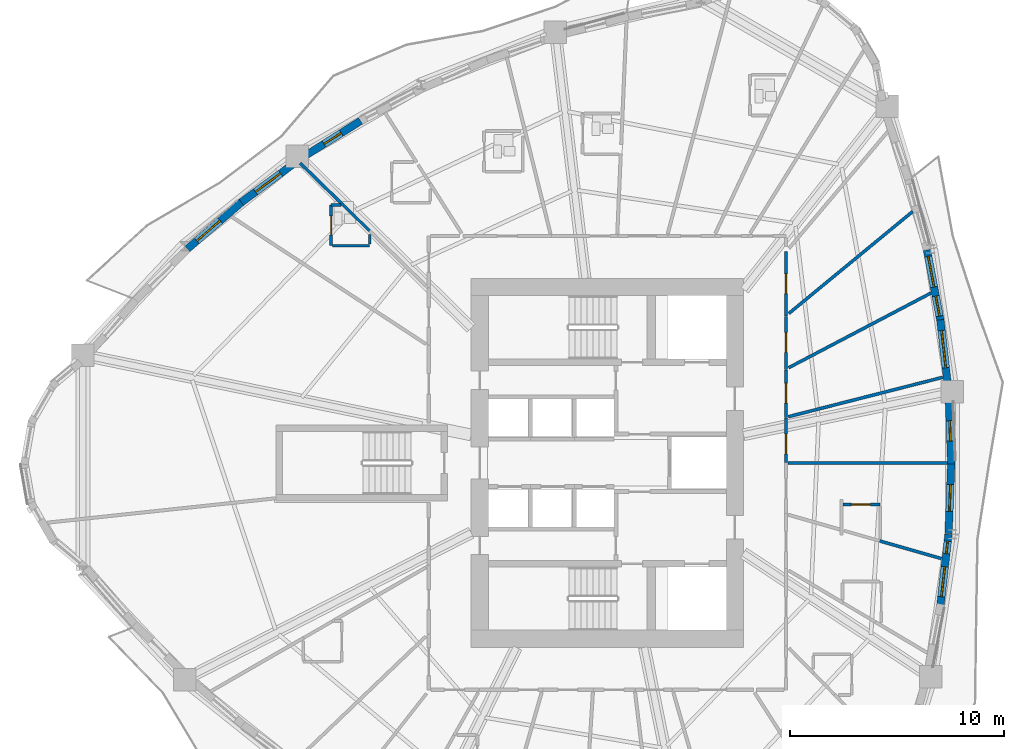
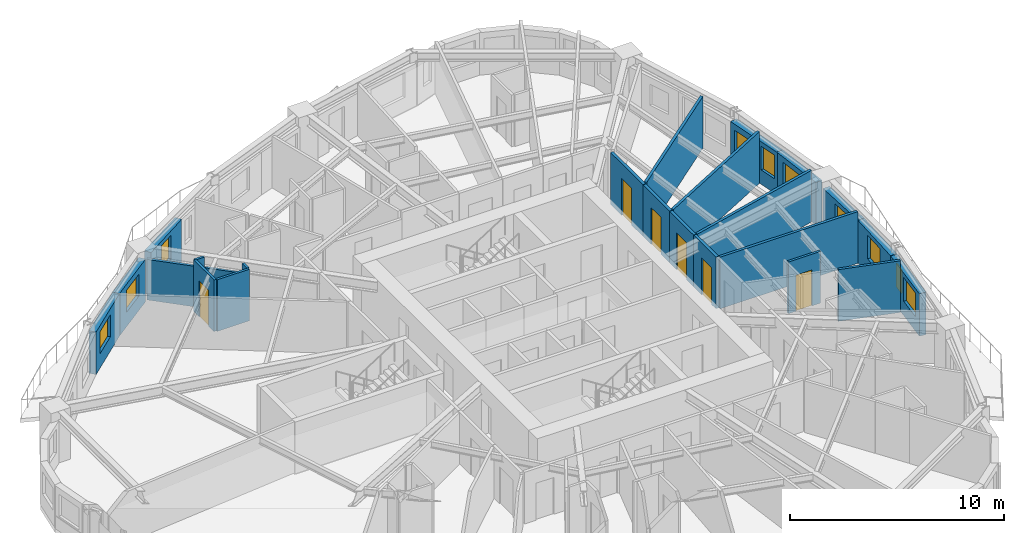
# One storey, part 8 of 14: 24 walls, 10 windows, 6 doors, 16 openings.
"""IFC4 building model written with IfcOpenShell, lengths in metres."""

from ifc_helpers import new_model, si_unit, direction, frame, frame_2d, origin, place, context, subcontext, project, spatial, rectangle, extrude, source, transform, mapped, material, layer, layer_set, type_object, element, fill, save


model = new_model("IFC4")

# Units and contexts
model_context = context("Model", 3, precision=1e-05, world=origin(), true_north=direction((0.0, 1.0)))
body_context = subcontext(model_context, "Body", "Model", "MODEL_VIEW")
ifc_project = project(units=[si_unit("LENGTHUNIT", "METRE"), si_unit("AREAUNIT", "SQUARE_METRE"), si_unit("VOLUMEUNIT", "CUBIC_METRE"), si_unit("PLANEANGLEUNIT", "RADIAN"), si_unit("MASSUNIT", "GRAM", prefix="KILO")], contexts=[model_context])

# Site, building, storey
site_placement = place(None, origin())
site = spatial("IfcSite", under=ifc_project, at=site_placement, CompositionType="ELEMENT")
building_placement = place(site_placement, origin())
building = spatial("IfcBuilding", under=site, at=building_placement, Name="Qafzar Sky-Pleat Residences", CompositionType="ELEMENT")
storey_placement = place(building_placement, frame((0.0, 0.0, 7.800048828125)))
storey = spatial("IfcBuildingStorey", under=building, at=storey_placement, Name="L01", CompositionType="ELEMENT", Elevation=7.800048828125)

# Wall, opening, door
ifc_material_1 = material(Name="Acoustic gypsum plasterboard partition", Category="gypsum")
ifc_layer_1 = layer(ifc_material_1, 0.159912109375)
ifc_layer_set_1 = layer_set([ifc_layer_1], Name="Acoustic gypsum plasterboard partition")
wall_type_1 = type_object("IfcWallType", Name="PART-COR-160", PredefinedType="PARTITIONING", material=ifc_layer_set_1)
wall_1_placement = place(storey_placement, frame((38.679931640625, 35.862060546875, 0.0), z_axis=(0.0, 0.0, 1.0), x_axis=(0.0, -1.0, 0.0)))
wall_1 = element("IfcWall", 1, at=wall_1_placement, inside=storey, type_object=wall_type_1, Name="L01 Partition Wall PART-L01-PW-007", PredefinedType="PARTITIONING", context=body_context, shape_type="SweptSolid", body=[
    extrude(rectangle(XDim=3.024169921875, YDim=0.159912109375, at=frame_2d((1.51220703125, 0.0))), origin(), (0.0, 0.0, 1.0), 2.93994140625),
])
opening_1_placement = place(wall_1_placement, frame((1.053466796875, 0.0, 0.0)))
opening_1 = element("IfcOpeningElement", 2, at=opening_1_placement, cuts=wall_1, Name="Opening ID-04", PredefinedType="OPENING", context=body_context, shape_type="SweptSolid", body=[
    extrude(rectangle(XDim=0.919921875, YDim=2.10009765625, at=frame_2d((0.4599609375, 1.050048828125))), frame((0.0, 0.08984375, 0.0), z_axis=(0.0, -1.0, 0.0), x_axis=(1.0, 0.0, 0.0)), (0.0, 0.0, 1.0), 0.179931640625),
])
ifc_material_2 = material(Name="Timber-faced fire door", Category="wood")
door_type_1 = type_object("IfcDoorType", Name="DR-BED-920", OperationType="NOTDEFINED", PredefinedType="DOOR", material=ifc_material_2)
shared_shape_1 = source(origin(), body_context, "Body", "SweptSolid", [
    extrude(rectangle(XDim=0.919921875, YDim=2.10009765625, at=frame_2d((0.4599609375, 1.050048828125))), frame((0.0, 0.02490234375, 0.0), z_axis=(0.0, -1.0, 0.0), x_axis=(1.0, 0.0, 0.0)), (0.0, 0.0, 1.0), 0.050048828125),
])
door_1_placement = place(opening_1_placement, origin())
door_1 = element("IfcDoor", 3, at=door_1_placement, inside=storey, type_object=door_type_1, Name="L01 Co-Living Bedroom 3 Door", OperationType="SINGLE_SWING_RIGHT", OverallHeight=2.10009765625, OverallWidth=0.919921875, PredefinedType="DOOR", context=body_context, shape_type="MappedRepresentation", body=[
    mapped(shared_shape_1, transform((0.0, 0.0, 0.0), x_axis=(1.0, 0.0, 0.0), y_axis=(0.0, 1.0, 0.0), z_axis=(0.0, 0.0, 1.0), scale=1.0)),
])
fill(opening_1, door_1)

wall_2_placement = place(storey_placement, frame((38.679931640625, 32.822998046875, 0.0), z_axis=(0.0, 0.0, 1.0), x_axis=(0.0, -1.0, 0.0)))
wall_2 = element("IfcWall", 4, at=wall_2_placement, inside=storey, type_object=wall_type_1, Name="L01 Partition Wall PART-L01-PW-013", PredefinedType="PARTITIONING", context=body_context, shape_type="SweptSolid", body=[
    extrude(rectangle(XDim=2.468017578125, YDim=0.159912109375, at=frame_2d((1.23388671875, 0.0))), origin(), (0.0, 0.0, 1.0), 2.93994140625),
])
opening_2_placement = place(wall_2_placement, frame((0.748046875, 0.0, 0.0)))
opening_2 = element("IfcOpeningElement", 5, at=opening_2_placement, cuts=wall_2, Name="Opening ID-04", PredefinedType="OPENING", context=body_context, shape_type="SweptSolid", body=[
    extrude(rectangle(XDim=0.919921875, YDim=2.10009765625, at=frame_2d((0.4599609375, 1.050048828125))), frame((0.0, 0.08984375, 0.0), z_axis=(0.0, -1.0, 0.0), x_axis=(1.0, 0.0, 0.0)), (0.0, 0.0, 1.0), 0.179931640625),
])
door_2_placement = place(opening_2_placement, origin())
door_2 = element("IfcDoor", 6, at=door_2_placement, inside=storey, type_object=door_type_1, Name="L01 Co-Living Bedroom 4 Door", OperationType="SINGLE_SWING_RIGHT", OverallHeight=2.10009765625, OverallWidth=0.919921875, PredefinedType="DOOR", context=body_context, shape_type="MappedRepresentation", body=[
    mapped(shared_shape_1, transform((0.0, 0.0, 0.0), x_axis=(1.0, 0.0, 0.0), y_axis=(0.0, 1.0, 0.0), z_axis=(0.0, 0.0, 1.0), scale=1.0)),
])
fill(opening_2, door_2)

wall_3_placement = place(storey_placement, frame((38.679931640625, 30.340087890625, 0.0), z_axis=(0.0, 0.0, 1.0), x_axis=(0.0, -1.0, 0.0)))
wall_3 = element("IfcWall", 7, at=wall_3_placement, inside=storey, type_object=wall_type_1, Name="L01 Partition Wall PART-L01-PW-019", PredefinedType="PARTITIONING", context=body_context, shape_type="SweptSolid", body=[
    extrude(rectangle(XDim=2.22998046875, YDim=0.159912109375, at=frame_2d((1.114990234375, 0.0))), origin(), (0.0, 0.0, 1.0), 2.93994140625),
])
opening_3_placement = place(wall_3_placement, frame((0.631591796875, 0.0, 0.0)))
opening_3 = element("IfcOpeningElement", 8, at=opening_3_placement, cuts=wall_3, Name="Opening ID-04", PredefinedType="OPENING", context=body_context, shape_type="SweptSolid", body=[
    extrude(rectangle(XDim=0.919921875, YDim=2.10009765625, at=frame_2d((0.4599609375, 1.050048828125))), frame((0.0, 0.08984375, 0.0), z_axis=(0.0, -1.0, 0.0), x_axis=(1.0, 0.0, 0.0)), (0.0, 0.0, 1.0), 0.179931640625),
])
door_3_placement = place(opening_3_placement, origin())
door_3 = element("IfcDoor", 9, at=door_3_placement, inside=storey, type_object=door_type_1, Name="L01 Co-Living Bedroom 1 Door", OperationType="SINGLE_SWING_LEFT", OverallHeight=2.10009765625, OverallWidth=0.919921875, PredefinedType="DOOR", context=body_context, shape_type="MappedRepresentation", body=[
    mapped(shared_shape_1, transform((0.0, 0.0, 0.0), x_axis=(1.0, 0.0, 0.0), y_axis=(0.0, 1.0, 0.0), z_axis=(0.0, 0.0, 1.0), scale=1.0)),
])
fill(opening_3, door_3)

wall_4_placement = place(storey_placement, frame((38.679931640625, 28.094970703125, 0.0), z_axis=(0.0, 0.0, 1.0), x_axis=(0.0, -1.0, 0.0)))
wall_4 = element("IfcWall", 10, at=wall_4_placement, inside=storey, type_object=wall_type_1, Name="L01 Partition Wall PART-L01-PW-021", PredefinedType="PARTITIONING", context=body_context, shape_type="SweptSolid", body=[
    extrude(rectangle(XDim=2.06494140625, YDim=0.159912109375, at=frame_2d((1.032470703125, 0.0))), origin(), (0.0, 0.0, 1.0), 2.93994140625),
])
opening_4_placement = place(wall_4_placement, frame((0.748779296875, 0.0, 0.0)))
opening_4 = element("IfcOpeningElement", 11, at=opening_4_placement, cuts=wall_4, Name="Opening ID-04", PredefinedType="OPENING", context=body_context, shape_type="SweptSolid", body=[
    extrude(rectangle(XDim=0.919921875, YDim=2.10009765625, at=frame_2d((0.4599609375, 1.050048828125))), frame((0.0, 0.08984375, 0.0), z_axis=(0.0, -1.0, 0.0), x_axis=(1.0, 0.0, 0.0)), (0.0, 0.0, 1.0), 0.179931640625),
])
door_4_placement = place(opening_4_placement, origin())
door_4 = element("IfcDoor", 12, at=door_4_placement, inside=storey, type_object=door_type_1, Name="L01 Co-Living Bedroom 2 Door", OperationType="SINGLE_SWING_LEFT", OverallHeight=2.10009765625, OverallWidth=0.919921875, PredefinedType="DOOR", context=body_context, shape_type="MappedRepresentation", body=[
    mapped(shared_shape_1, transform((0.0, 0.0, 0.0), x_axis=(1.0, 0.0, 0.0), y_axis=(0.0, 1.0, 0.0), z_axis=(0.0, 0.0, 1.0), scale=1.0)),
])
fill(opening_4, door_4)

# Walls
ifc_layer_2 = layer(ifc_material_1, 0.14501953125)
ifc_layer_set_2 = layer_set([ifc_layer_2], Name="Acoustic gypsum plasterboard partition")
wall_type_2 = type_object("IfcWallType", Name="PART-UNIT-145", PredefinedType="PARTITIONING", material=ifc_layer_set_2)
wall_5_placement = place(storey_placement, frame((38.812255859375, 32.966796875, 0.0), z_axis=(0.0, 0.0, 1.0), x_axis=(0.772048037558, 0.635564180633, 0.0)))
element("IfcWall", 13, at=wall_5_placement, inside=storey, type_object=wall_type_2, Name="L01 Partition Wall PART-L01-PW-048", PredefinedType="PARTITIONING", context=body_context, shape_type="SweptSolid", body=[
    extrude(rectangle(XDim=7.47705078125, YDim=0.14501953125, at=frame_2d((3.738525390625, 0.0))), origin(), (0.0, 0.0, 1.0), 2.93994140625),
])
wall_6_placement = place(storey_placement, frame((38.80078125, 30.435302734375, 0.0), z_axis=(0.0, 0.0, 1.0), x_axis=(0.885428701358, 0.46477523042, 0.0)))
element("IfcWall", 14, at=wall_6_placement, inside=storey, type_object=wall_type_2, Name="L01 Partition Wall PART-L01-PW-049", PredefinedType="PARTITIONING", context=body_context, shape_type="SweptSolid", body=[
    extrude(rectangle(XDim=7.503173828125, YDim=0.14501953125, at=frame_2d((3.75146484375, 0.0))), origin(), (0.0, 0.0, 1.0), 2.93994140625),
])
wall_7_placement = place(storey_placement, frame((38.78564453125, 28.152099609375, 0.0), z_axis=(0.0, 0.0, 1.0), x_axis=(0.968940490632, 0.247294006424, 0.0)))
element("IfcWall", 15, at=wall_7_placement, inside=storey, type_object=wall_type_2, Name="L01 Partition Wall PART-L01-PW-050", PredefinedType="PARTITIONING", context=body_context, shape_type="SweptSolid", body=[
    extrude(rectangle(XDim=7.431884765625, YDim=0.14501953125, at=frame_2d((3.7158203125, 0.0))), origin(), (0.0, 0.0, 1.0), 2.93994140625),
])
wall_8_placement = place(storey_placement, frame((38.76806640625, 26.0, 0.0), z_axis=(0.0, 0.0, 1.0), x_axis=(1.0, 0.0, 0.0)))
element("IfcWall", 16, at=wall_8_placement, inside=storey, type_object=wall_type_2, Name="L01 Partition Wall PART-L01-PW-051", PredefinedType="PARTITIONING", context=body_context, shape_type="SweptSolid", body=[
    extrude(rectangle(XDim=7.43017578125, YDim=0.14501953125, at=frame_2d((3.715087890625, 0.0))), origin(), (0.0, 0.0, 1.0), 2.93994140625),
])
wall_9_placement = place(storey_placement, frame((43.054931640625, 22.361083984375, 0.0), z_axis=(0.0, 0.0, 1.0), x_axis=(0.961351316588, -0.275324619486, 0.0)))
element("IfcWall", 17, at=wall_9_placement, inside=storey, type_object=wall_type_2, Name="L01 Partition Wall PART-L01-PW-068", PredefinedType="PARTITIONING", context=body_context, shape_type="SweptSolid", body=[
    extrude(rectangle(XDim=2.991943359375, YDim=0.14501953125, at=frame_2d((1.49609375, 0.0))), origin(), (0.0, 0.0, 1.0), 2.93994140625),
])
wall_10_placement = place(storey_placement, frame((16.033935546875, 39.97412109375, 0.0), z_axis=(0.0, 0.0, 1.0), x_axis=(0.715628345471, -0.69848126042, 0.0)))
element("IfcWall", 18, at=wall_10_placement, inside=storey, type_object=wall_type_2, Name="L01 Partition Wall PART-L01-PW-071", PredefinedType="PARTITIONING", context=body_context, shape_type="SweptSolid", body=[
    extrude(rectangle(XDim=2.790771484375, YDim=0.14501953125, at=frame_2d((1.3955078125, 0.0))), origin(), (0.0, 0.0, 1.0), 2.307861328125),
])

# Wall, opening, door
ifc_material_3 = material(Name="Moisture-resistant gypsum partition", Category="gypsum")
ifc_layer_3 = layer(ifc_material_3, 0.1298828125)
ifc_layer_set_3 = layer_set([ifc_layer_3], Name="Moisture-resistant gypsum partition")
wall_type_3 = type_object("IfcWallType", Name="PART-WET-130", PredefinedType="PARTITIONING", material=ifc_layer_set_3)
wall_11_placement = place(storey_placement, frame((17.470947265625, 38.02490234375, 0.0), z_axis=(0.0, 0.0, 1.0), x_axis=(0.0, -1.0, 0.0)))
wall_11 = element("IfcWall", 19, at=wall_11_placement, inside=storey, type_object=wall_type_3, Name="L01 Partition Wall PART-L01-PW-030", PredefinedType="PARTITIONING", context=body_context, shape_type="SweptSolid", body=[
    extrude(rectangle(XDim=1.89990234375, YDim=0.1298828125, at=frame_2d((0.949951171875, 0.0))), origin(), (0.0, 0.0, 1.0), 2.93994140625),
])
opening_5_placement = place(wall_11_placement, frame((0.510009765625, 0.0, 0.0)))
opening_5 = element("IfcOpeningElement", 20, at=opening_5_placement, cuts=wall_11, Name="Opening ID-07", PredefinedType="OPENING", context=body_context, shape_type="SweptSolid", body=[
    extrude(rectangle(XDim=0.8798828125, YDim=2.050048828125, at=frame_2d((0.43994140625, 1.02490234375))), frame((0.0, 0.074951171875, 0.0), z_axis=(0.0, -1.0, 0.0), x_axis=(1.0, 0.0, 0.0)), (0.0, 0.0, 1.0), 0.14990234375),
])
door_type_2 = type_object("IfcDoorType", Name="DR-WET-880", OperationType="NOTDEFINED", PredefinedType="DOOR", material=ifc_material_2)
shared_shape_2 = source(origin(), body_context, "Body", "SweptSolid", [
    extrude(rectangle(XDim=0.8798828125, YDim=2.050048828125, at=frame_2d((0.43994140625, 1.02490234375))), frame((0.0, 0.02490234375, 0.0), z_axis=(0.0, -1.0, 0.0), x_axis=(1.0, 0.0, 0.0)), (0.0, 0.0, 1.0), 0.050048828125),
])
door_5_placement = place(opening_5_placement, origin())
door_5 = element("IfcDoor", 21, at=door_5_placement, inside=storey, type_object=door_type_2, Name="L01 En-suite Bathroom 10 Door", OperationType="SINGLE_SWING_RIGHT", OverallHeight=2.050048828125, OverallWidth=0.8798828125, PredefinedType="DOOR", context=body_context, shape_type="MappedRepresentation", body=[
    mapped(shared_shape_2, transform((0.0, 0.0, 0.0), x_axis=(1.0, 0.0, 0.0), y_axis=(0.0, 1.0, 0.0), z_axis=(0.0, 0.0, 1.0), scale=1.0)),
])
fill(opening_5, door_5)

wall_12_placement = place(storey_placement, frame((43.070068359375, 24.06005859375, 0.0), z_axis=(0.0, 0.0, 1.0), x_axis=(-1.0, 0.0, 0.0)))
wall_12 = element("IfcWall", 22, at=wall_12_placement, inside=storey, type_object=wall_type_3, Name="L01 Partition Wall PART-L01-PW-035", PredefinedType="PARTITIONING", context=body_context, shape_type="SweptSolid", body=[
    extrude(rectangle(XDim=1.72705078125, YDim=0.1298828125, at=frame_2d((0.863525390625, 0.0))), origin(), (0.0, 0.0, 1.0), 2.93994140625),
])
opening_6_placement = place(wall_12_placement, frame((0.4599609375, 0.0, 0.0)))
opening_6 = element("IfcOpeningElement", 23, at=opening_6_placement, cuts=wall_12, Name="Opening ID-07", PredefinedType="OPENING", context=body_context, shape_type="SweptSolid", body=[
    extrude(rectangle(XDim=0.8798828125, YDim=2.050048828125, at=frame_2d((0.43994140625, 1.02490234375))), frame((0.0, 0.074951171875, 0.0), z_axis=(0.0, -1.0, 0.0), x_axis=(1.0, 0.0, 0.0)), (0.0, 0.0, 1.0), 0.14990234375),
])
door_6_placement = place(opening_6_placement, origin())
door_6 = element("IfcDoor", 24, at=door_6_placement, inside=storey, type_object=door_type_2, Name="L01 En-suite Bathroom 20 Door", OperationType="SINGLE_SWING_LEFT", OverallHeight=2.050048828125, OverallWidth=0.8798828125, PredefinedType="DOOR", context=body_context, shape_type="MappedRepresentation", body=[
    mapped(shared_shape_2, transform((0.0, 0.0, 0.0), x_axis=(1.0, 0.0, 0.0), y_axis=(0.0, 1.0, 0.0), z_axis=(0.0, 0.0, 1.0), scale=1.0)),
])
fill(opening_6, door_6)

# Walls
wall_13_placement = place(storey_placement, frame((17.5439453125, 36.125, 0.0), z_axis=(0.0, 0.0, 1.0), x_axis=(1.0, 0.0, 0.0)))
element("IfcWall", 25, at=wall_13_placement, inside=storey, type_object=wall_type_3, Name="L01 Partition Wall PART-L01-PW-082", PredefinedType="PARTITIONING", context=body_context, shape_type="SweptSolid", body=[
    extrude(rectangle(XDim=1.72705078125, YDim=0.1298828125, at=frame_2d((0.863525390625, 0.0))), origin(), (0.0, 0.0, 1.0), 2.93994140625),
])
wall_14_placement = place(storey_placement, frame((18.041748046875, 38.014404296875, 0.0), z_axis=(0.0, 0.0, 1.0), x_axis=(0.715729497461, -0.698377610225, 0.0)))
element("IfcWall", 26, at=wall_14_placement, inside=storey, type_object=wall_type_3, Name="L01 Partition Wall PART-L01-PW-095", PredefinedType="PARTITIONING", context=body_context, shape_type="SweptSolid", body=[
    extrude(rectangle(XDim=1.702392578125, YDim=0.1298828125, at=frame_2d((0.85107421875, 0.0))), origin(), (0.0, 0.0, 1.0), 2.307861328125),
])
wall_15_placement = place(storey_placement, frame((19.27099609375, 36.197998046875, 0.0), z_axis=(0.0, 0.0, 1.0), x_axis=(0.0, 1.0, 0.0)))
element("IfcWall", 27, at=wall_15_placement, inside=storey, type_object=wall_type_3, Name="L01 Partition Wall PART-L01-PW-115", PredefinedType="PARTITIONING", context=body_context, shape_type="SweptSolid", body=[
    extrude(rectangle(XDim=0.444091796875, YDim=0.1298828125, at=frame_2d((0.22216796875, 0.0))), origin(), (0.0, 0.0, 1.0), 2.93994140625),
])
wall_16_placement = place(storey_placement, frame((17.470947265625, 38.02490234375, 0.0), z_axis=(0.0, 0.0, 1.0), x_axis=(1.0, 0.0, 0.0)))
element("IfcWall", 28, at=wall_16_placement, inside=storey, type_object=wall_type_3, Name="L01 Partition Wall PART-L01-PW-117", PredefinedType="PARTITIONING", context=body_context, shape_type="SweptSolid", body=[
    extrude(rectangle(XDim=0.469970703125, YDim=0.1298828125, at=frame_2d((0.23486328125, 0.0))), origin(), (0.0, 0.0, 1.0), 2.93994140625),
])

# Wall, openings, windows
ifc_material_4 = material(Name="Precast concrete C40/50 with honed Riyadh limestone", Category="concrete")
ifc_layer_4 = layer(ifc_material_4, 0.35009765625)
ifc_layer_set_4 = layer_set([ifc_layer_4], Name="Precast concrete C40/50 with honed Riyadh limestone")
wall_type_4 = type_object("IfcWallType", Name="WALL-EXT-350", PredefinedType="SOLIDWALL", material=ifc_layer_set_4)
wall_17_placement = place(storey_placement, frame((45.87548828125, 19.3310546875, 0.0), z_axis=(0.0, 0.0, 1.0), x_axis=(0.113329685842, 0.99355743785, 0.0)))
wall_17 = element("IfcWall", 29, at=wall_17_placement, inside=storey, type_object=wall_type_4, Name="L01 Limestone Facade Wall 26", PredefinedType="SOLIDWALL", context=body_context, shape_type="SweptSolid", body=[
    extrude(rectangle(XDim=3.364990234375, YDim=0.35009765625, at=frame_2d((1.6826171875, 0.0))), origin(), (0.0, 0.0, 1.0), 2.419921875),
])
opening_7_placement = place(wall_17_placement, frame((0.436767578125, 0.0, 0.820068359375)))
opening_7 = element("IfcOpeningElement", 30, at=opening_7_placement, cuts=wall_17, Name="Opening WN-10", PredefinedType="OPENING", context=body_context, shape_type="SweptSolid", body=[
    extrude(rectangle(XDim=1.39990234375, YDim=1.35009765625, at=frame_2d((0.699951171875, 0.675048828125))), frame((0.0, 0.18505859375, 0.0), z_axis=(0.0, -1.0, 0.0), x_axis=(1.0, 0.0, 0.0)), (0.0, 0.0, 1.0), 0.3701171875),
])
opening_8_placement = place(wall_17_placement, frame((2.45947265625, 0.0, 0.820068359375)))
opening_8 = element("IfcOpeningElement", 31, at=opening_8_placement, cuts=wall_17, Name="Opening WN-17", PredefinedType="OPENING", context=body_context, shape_type="SweptSolid", body=[
    extrude(rectangle(XDim=0.580078125, YDim=1.35009765625, at=frame_2d((0.2900390625, 0.675048828125))), frame((0.0, 0.18505859375, 0.0), z_axis=(0.0, -1.0, 0.0), x_axis=(1.0, 0.0, 0.0)), (0.0, 0.0, 1.0), 0.3701171875),
])
ifc_material_5 = material(Name="Solar-control low-E glass in bronze aluminium frame", Category="glass")
window_type_1 = type_object("IfcWindowType", Name="WIN-17", PartitioningType="SINGLE_PANEL", PredefinedType="WINDOW", material=ifc_material_5)
shared_shape_3 = source(origin(), body_context, "Body", "SweptSolid", [
    extrude(rectangle(XDim=0.580078125, YDim=1.35009765625, at=frame_2d((0.2900390625, 0.675048828125))), frame((0.0, 0.030029296875, 0.0), z_axis=(0.0, -1.0, 0.0), x_axis=(1.0, 0.0, 0.0)), (0.0, 0.0, 1.0), 0.06005859375),
])
window_1_placement = place(opening_8_placement, origin())
window_1 = element("IfcWindow", 32, at=window_1_placement, inside=storey, type_object=window_type_1, Name="L01 Punched Facade Window 26-2", OverallHeight=1.35009765625, OverallWidth=0.580078125, PartitioningType="SINGLE_PANEL", PredefinedType="WINDOW", context=body_context, shape_type="MappedRepresentation", body=[
    mapped(shared_shape_3, transform((0.0, 0.0, 0.0), x_axis=(1.0, 0.0, 0.0), y_axis=(0.0, 1.0, 0.0), z_axis=(0.0, 0.0, 1.0), scale=1.0)),
])
fill(opening_8, window_1)
window_type_2 = type_object("IfcWindowType", Name="WIN-10", PartitioningType="SINGLE_PANEL", PredefinedType="WINDOW", material=ifc_material_5)
shared_shape_4 = source(origin(), body_context, "Body", "SweptSolid", [
    extrude(rectangle(XDim=1.39990234375, YDim=1.35009765625, at=frame_2d((0.699951171875, 0.675048828125))), frame((0.0, 0.030029296875, 0.0), z_axis=(0.0, -1.0, 0.0), x_axis=(1.0, 0.0, 0.0)), (0.0, 0.0, 1.0), 0.06005859375),
])
window_2_placement = place(opening_7_placement, origin())
window_2 = element("IfcWindow", 33, at=window_2_placement, inside=storey, type_object=window_type_2, Name="L01 Punched Facade Window 26", OverallHeight=1.35009765625, OverallWidth=1.39990234375, PartitioningType="SINGLE_PANEL", PredefinedType="WINDOW", context=body_context, shape_type="MappedRepresentation", body=[
    mapped(shared_shape_4, transform((0.0, 0.0, 0.0), x_axis=(1.0, 0.0, 0.0), y_axis=(0.0, 1.0, 0.0), z_axis=(0.0, 0.0, 1.0), scale=1.0)),
])
fill(opening_7, window_2)

# Wall, opening, window
wall_18_placement = place(storey_placement, frame((46.2587890625, 22.701171875, 0.0), z_axis=(0.0, 0.0, 1.0), x_axis=(0.038015581842, 0.99927714651, 0.0)))
wall_18 = element("IfcWall", 34, at=wall_18_placement, inside=storey, type_object=wall_type_4, Name="L01 Limestone Facade Wall 27", PredefinedType="SOLIDWALL", context=body_context, shape_type="SweptSolid", body=[
    extrude(rectangle(XDim=3.345947265625, YDim=0.35009765625, at=frame_2d((1.6728515625, 0.0))), origin(), (0.0, 0.0, 1.0), 2.419921875),
])
opening_9_placement = place(wall_18_placement, frame((1.0380859375, 0.0, 0.820068359375)))
opening_9 = element("IfcOpeningElement", 35, at=opening_9_placement, cuts=wall_18, Name="Opening WN-11", PredefinedType="OPENING", context=body_context, shape_type="SweptSolid", body=[
    extrude(rectangle(XDim=1.25, YDim=1.35009765625, at=frame_2d((0.625, 0.675048828125))), frame((0.0, 0.18505859375, 0.0), z_axis=(0.0, -1.0, 0.0), x_axis=(1.0, 0.0, 0.0)), (0.0, 0.0, 1.0), 0.3701171875),
])
window_type_3 = type_object("IfcWindowType", Name="WIN-11", PartitioningType="SINGLE_PANEL", PredefinedType="WINDOW", material=ifc_material_5)
shared_shape_5 = source(origin(), body_context, "Body", "SweptSolid", [
    extrude(rectangle(XDim=1.25, YDim=1.35009765625, at=frame_2d((0.625, 0.675048828125))), frame((0.0, 0.030029296875, 0.0), z_axis=(0.0, -1.0, 0.0), x_axis=(1.0, 0.0, 0.0)), (0.0, 0.0, 1.0), 0.06005859375),
])
window_3_placement = place(opening_9_placement, origin())
window_3 = element("IfcWindow", 36, at=window_3_placement, inside=storey, type_object=window_type_3, Name="L01 Punched Facade Window 27", OverallHeight=1.35009765625, OverallWidth=1.25, PartitioningType="SINGLE_PANEL", PredefinedType="WINDOW", context=body_context, shape_type="MappedRepresentation", body=[
    mapped(shared_shape_5, transform((0.0, 0.0, 0.0), x_axis=(1.0, 0.0, 0.0), y_axis=(0.0, 1.0, 0.0), z_axis=(0.0, 0.0, 1.0), scale=1.0)),
])
fill(opening_9, window_3)

wall_19_placement = place(storey_placement, frame((46.385986328125, 25.955322265625, 0.0), z_axis=(0.0, 0.0, 1.0), x_axis=(-0.038063081658, 0.99927533834, 0.0)))
wall_19 = element("IfcWall", 37, at=wall_19_placement, inside=storey, type_object=wall_type_4, Name="L01 Limestone Facade Wall 28", PredefinedType="SOLIDWALL", context=body_context, shape_type="SweptSolid", body=[
    extrude(rectangle(XDim=3.06591796875, YDim=0.35009765625, at=frame_2d((1.532958984375, 0.0))), origin(), (0.0, 0.0, 1.0), 2.419921875),
])
opening_10_placement = place(wall_19_placement, frame((1.06298828125, 0.0, 0.820068359375)))
opening_10 = element("IfcOpeningElement", 38, at=opening_10_placement, cuts=wall_19, Name="Opening WN-12", PredefinedType="OPENING", context=body_context, shape_type="SweptSolid", body=[
    extrude(rectangle(XDim=0.949951171875, YDim=1.35009765625, at=frame_2d((0.47509765625, 0.675048828125))), frame((0.0, 0.18505859375, 0.0), z_axis=(0.0, -1.0, 0.0), x_axis=(1.0, 0.0, 0.0)), (0.0, 0.0, 1.0), 0.3701171875),
])
window_type_4 = type_object("IfcWindowType", Name="WIN-12", PartitioningType="SINGLE_PANEL", PredefinedType="WINDOW", material=ifc_material_5)
shared_shape_6 = source(origin(), body_context, "Body", "SweptSolid", [
    extrude(rectangle(XDim=0.949951171875, YDim=1.35009765625, at=frame_2d((0.47509765625, 0.675048828125))), frame((0.0, 0.030029296875, 0.0), z_axis=(0.0, -1.0, 0.0), x_axis=(1.0, 0.0, 0.0)), (0.0, 0.0, 1.0), 0.06005859375),
])
window_4_placement = place(opening_10_placement, origin())
window_4 = element("IfcWindow", 39, at=window_4_placement, inside=storey, type_object=window_type_4, Name="L01 Punched Facade Window 28", OverallHeight=1.35009765625, OverallWidth=0.949951171875, PartitioningType="SINGLE_PANEL", PredefinedType="WINDOW", context=body_context, shape_type="MappedRepresentation", body=[
    mapped(shared_shape_6, transform((0.0, 0.0, 0.0), x_axis=(1.0, 0.0, 0.0), y_axis=(0.0, 1.0, 0.0), z_axis=(0.0, 0.0, 1.0), scale=1.0)),
])
fill(opening_10, window_4)

wall_20_placement = place(storey_placement, frame((46.22509765625, 29.603759765625, 0.0), z_axis=(0.0, 0.0, 1.0), x_axis=(-0.113323399269, 0.993558154905, 0.0)))
wall_20 = element("IfcWall", 40, at=wall_20_placement, inside=storey, type_object=wall_type_4, Name="L01 Limestone Facade Wall 29", PredefinedType="SOLIDWALL", context=body_context, shape_type="SweptSolid", body=[
    extrude(rectangle(XDim=3.0849609375, YDim=0.35009765625, at=frame_2d((1.54248046875, 0.0))), origin(), (0.0, 0.0, 1.0), 2.419921875),
])
opening_11_placement = place(wall_20_placement, frame((0.8349609375, 0.0, 0.820068359375)))
opening_11 = element("IfcOpeningElement", 41, at=opening_11_placement, cuts=wall_20, Name="Opening WN-14", PredefinedType="OPENING", context=body_context, shape_type="SweptSolid", body=[
    extrude(rectangle(XDim=1.75, YDim=1.300048828125, at=frame_2d((0.875, 0.64990234375))), frame((0.0, 0.18505859375, 0.0), z_axis=(0.0, -1.0, 0.0), x_axis=(1.0, 0.0, 0.0)), (0.0, 0.0, 1.0), 0.3701171875),
])
window_type_5 = type_object("IfcWindowType", Name="WIN-14", PartitioningType="DOUBLE_PANEL_VERTICAL", PredefinedType="WINDOW", material=ifc_material_5)
shared_shape_7 = source(origin(), body_context, "Body", "SweptSolid", [
    extrude(rectangle(XDim=1.75, YDim=1.300048828125, at=frame_2d((0.875, 0.64990234375))), frame((0.0, 0.030029296875, 0.0), z_axis=(0.0, -1.0, 0.0), x_axis=(1.0, 0.0, 0.0)), (0.0, 0.0, 1.0), 0.06005859375),
])
window_5_placement = place(opening_11_placement, origin())
window_5 = element("IfcWindow", 42, at=window_5_placement, inside=storey, type_object=window_type_5, Name="L01 Punched Facade Window 29-2", OverallHeight=1.300048828125, OverallWidth=1.75, PartitioningType="SINGLE_PANEL", PredefinedType="WINDOW", context=body_context, shape_type="MappedRepresentation", body=[
    mapped(shared_shape_7, transform((0.0, 0.0, 0.0), x_axis=(1.0, 0.0, 0.0), y_axis=(0.0, 1.0, 0.0), z_axis=(0.0, 0.0, 1.0), scale=1.0)),
])
fill(opening_11, window_5)

# Wall, openings, windows
wall_21_placement = place(storey_placement, frame((45.888916015625, 32.5810546875, 0.0), z_axis=(0.0, 0.0, 1.0), x_axis=(-0.186670339622, 0.98242260983, 0.0)))
wall_21 = element("IfcWall", 43, at=wall_21_placement, inside=storey, type_object=wall_type_4, Name="L01 Limestone Facade Wall 30", PredefinedType="SOLIDWALL", context=body_context, shape_type="SweptSolid", body=[
    extrude(rectangle(XDim=3.403076171875, YDim=0.35009765625, at=frame_2d((1.70166015625, 0.0))), origin(), (0.0, 0.0, 1.0), 2.419921875),
])
opening_12_placement = place(wall_21_placement, frame((0.2685546875, 0.0, 0.820068359375)))
opening_12 = element("IfcOpeningElement", 44, at=opening_12_placement, cuts=wall_21, Name="Opening WN-12", PredefinedType="OPENING", context=body_context, shape_type="SweptSolid", body=[
    extrude(rectangle(XDim=0.949951171875, YDim=1.35009765625, at=frame_2d((0.47509765625, 0.675048828125))), frame((0.0, 0.18505859375, 0.0), z_axis=(0.0, -1.0, 0.0), x_axis=(1.0, 0.0, 0.0)), (0.0, 0.0, 1.0), 0.3701171875),
])
opening_13_placement = place(wall_21_placement, frame((1.650146484375, 0.0, 0.820068359375)))
opening_13 = element("IfcOpeningElement", 45, at=opening_13_placement, cuts=wall_21, Name="Opening WN-15", PredefinedType="OPENING", context=body_context, shape_type="SweptSolid", body=[
    extrude(rectangle(XDim=1.449951171875, YDim=1.25, at=frame_2d((0.72509765625, 0.625))), frame((0.0, 0.18505859375, 0.0), z_axis=(0.0, -1.0, 0.0), x_axis=(1.0, 0.0, 0.0)), (0.0, 0.0, 1.0), 0.3701171875),
])
window_6_placement = place(opening_12_placement, origin())
window_6 = element("IfcWindow", 46, at=window_6_placement, inside=storey, type_object=window_type_4, Name="L01 Punched Facade Window 30", OverallHeight=1.35009765625, OverallWidth=0.949951171875, PartitioningType="SINGLE_PANEL", PredefinedType="WINDOW", context=body_context, shape_type="MappedRepresentation", body=[
    mapped(shared_shape_6, transform((0.0, 0.0, 0.0), x_axis=(1.0, 0.0, 0.0), y_axis=(0.0, 1.0, 0.0), z_axis=(0.0, 0.0, 1.0), scale=1.0)),
])
fill(opening_12, window_6)
window_type_6 = type_object("IfcWindowType", Name="WIN-15", PartitioningType="SINGLE_PANEL", PredefinedType="WINDOW", material=ifc_material_5)
shared_shape_8 = source(origin(), body_context, "Body", "SweptSolid", [
    extrude(rectangle(XDim=1.449951171875, YDim=1.25, at=frame_2d((0.72509765625, 0.625))), frame((0.0, 0.030029296875, 0.0), z_axis=(0.0, -1.0, 0.0), x_axis=(1.0, 0.0, 0.0)), (0.0, 0.0, 1.0), 0.06005859375),
])
window_7_placement = place(opening_13_placement, origin())
window_7 = element("IfcWindow", 47, at=window_7_placement, inside=storey, type_object=window_type_6, Name="L01 Punched Facade Window 30-2", OverallHeight=1.25, OverallWidth=1.449951171875, PartitioningType="SINGLE_PANEL", PredefinedType="WINDOW", context=body_context, shape_type="MappedRepresentation", body=[
    mapped(shared_shape_8, transform((0.0, 0.0, 0.0), x_axis=(1.0, 0.0, 0.0), y_axis=(0.0, 1.0, 0.0), z_axis=(0.0, 0.0, 1.0), scale=1.0)),
])
fill(opening_13, window_7)

# Wall, opening, window
wall_22_placement = place(storey_placement, frame((18.845703125, 41.94482421875, 0.0), z_axis=(0.0, 0.0, 1.0), x_axis=(-0.846424281274, -0.532509094824, 0.0)))
wall_22 = element("IfcWall", 48, at=wall_22_placement, inside=storey, type_object=wall_type_4, Name="L01 Limestone Facade Wall 44", PredefinedType="SOLIDWALL", context=body_context, shape_type="SweptSolid", body=[
    extrude(rectangle(XDim=3.06591796875, YDim=0.35009765625, at=frame_2d((1.532958984375, 0.0))), origin(), (0.0, 0.0, 1.0), 2.419921875),
])
opening_14_placement = place(wall_22_placement, frame((1.06298828125, 0.0, 0.820068359375)))
opening_14 = element("IfcOpeningElement", 49, at=opening_14_placement, cuts=wall_22, Name="Opening WN-12", PredefinedType="OPENING", context=body_context, shape_type="SweptSolid", body=[
    extrude(rectangle(XDim=0.949951171875, YDim=1.35009765625, at=frame_2d((0.47509765625, 0.675048828125))), frame((0.0, 0.18505859375, 0.0), z_axis=(0.0, -1.0, 0.0), x_axis=(1.0, 0.0, 0.0)), (0.0, 0.0, 1.0), 0.3701171875),
])
window_8_placement = place(opening_14_placement, origin())
window_8 = element("IfcWindow", 50, at=window_8_placement, inside=storey, type_object=window_type_4, Name="L01 Punched Facade Window 44", OverallHeight=1.35009765625, OverallWidth=0.949951171875, PartitioningType="SINGLE_PANEL", PredefinedType="WINDOW", context=body_context, shape_type="MappedRepresentation", body=[
    mapped(shared_shape_6, transform((0.0, 0.0, 0.0), x_axis=(1.0, 0.0, 0.0), y_axis=(0.0, 1.0, 0.0), z_axis=(0.0, 0.0, 1.0), scale=1.0)),
])
fill(opening_14, window_8)

wall_23_placement = place(storey_placement, frame((15.7666015625, 39.9814453125, 0.0), z_axis=(0.0, 0.0, 1.0), x_axis=(-0.803838872114, -0.59484709605, 0.0)))
wall_23 = element("IfcWall", 51, at=wall_23_placement, inside=storey, type_object=wall_type_4, Name="L01 Limestone Facade Wall 45", PredefinedType="SOLIDWALL", context=body_context, shape_type="SweptSolid", body=[
    extrude(rectangle(XDim=3.085205078125, YDim=0.35009765625, at=frame_2d((1.54248046875, 0.0))), origin(), (0.0, 0.0, 1.0), 2.419921875),
])
opening_15_placement = place(wall_23_placement, frame((0.8125, 0.0, 0.820068359375)))
opening_15 = element("IfcOpeningElement", 52, at=opening_15_placement, cuts=wall_23, Name="Opening WN-15", PredefinedType="OPENING", context=body_context, shape_type="SweptSolid", body=[
    extrude(rectangle(XDim=1.449951171875, YDim=1.25, at=frame_2d((0.72509765625, 0.625))), frame((0.0, 0.18505859375, 0.0), z_axis=(0.0, -1.0, 0.0), x_axis=(1.0, 0.0, 0.0)), (0.0, 0.0, 1.0), 0.3701171875),
])
window_9_placement = place(opening_15_placement, origin())
window_9 = element("IfcWindow", 53, at=window_9_placement, inside=storey, type_object=window_type_6, Name="L01 Punched Facade Window 45", OverallHeight=1.25, OverallWidth=1.449951171875, PartitioningType="SINGLE_PANEL", PredefinedType="WINDOW", context=body_context, shape_type="MappedRepresentation", body=[
    mapped(shared_shape_8, transform((0.0, 0.0, 0.0), x_axis=(1.0, 0.0, 0.0), y_axis=(0.0, 1.0, 0.0), z_axis=(0.0, 0.0, 1.0), scale=1.0)),
])
fill(opening_15, window_9)

wall_24_placement = place(storey_placement, frame((13.356201171875, 38.201904296875, 0.0), z_axis=(0.0, 0.0, 1.0), x_axis=(-0.757466232343, -0.65287434232, 0.0)))
wall_24 = element("IfcWall", 54, at=wall_24_placement, inside=storey, type_object=wall_type_4, Name="L01 Limestone Facade Wall 46", PredefinedType="SOLIDWALL", context=body_context, shape_type="SweptSolid", body=[
    extrude(rectangle(XDim=3.4033203125, YDim=0.35009765625, at=frame_2d((1.70166015625, 0.0))), origin(), (0.0, 0.0, 1.0), 2.419921875),
])
opening_16_placement = place(wall_24_placement, frame((1.3876953125, 0.0, 0.820068359375)))
opening_16 = element("IfcOpeningElement", 55, at=opening_16_placement, cuts=wall_24, Name="Opening WN-15", PredefinedType="OPENING", context=body_context, shape_type="SweptSolid", body=[
    extrude(rectangle(XDim=1.449951171875, YDim=1.25, at=frame_2d((0.72509765625, 0.625))), frame((0.0, 0.18505859375, 0.0), z_axis=(0.0, -1.0, 0.0), x_axis=(1.0, 0.0, 0.0)), (0.0, 0.0, 1.0), 0.3701171875),
])
window_10_placement = place(opening_16_placement, origin())
window_10 = element("IfcWindow", 56, at=window_10_placement, inside=storey, type_object=window_type_6, Name="L01 Punched Facade Window 46-2", OverallHeight=1.25, OverallWidth=1.449951171875, PartitioningType="SINGLE_PANEL", PredefinedType="WINDOW", context=body_context, shape_type="MappedRepresentation", body=[
    mapped(shared_shape_8, transform((0.0, 0.0, 0.0), x_axis=(1.0, 0.0, 0.0), y_axis=(0.0, 1.0, 0.0), z_axis=(0.0, 0.0, 1.0), scale=1.0)),
])
fill(opening_16, window_10)

save(model, "model.ifc")
